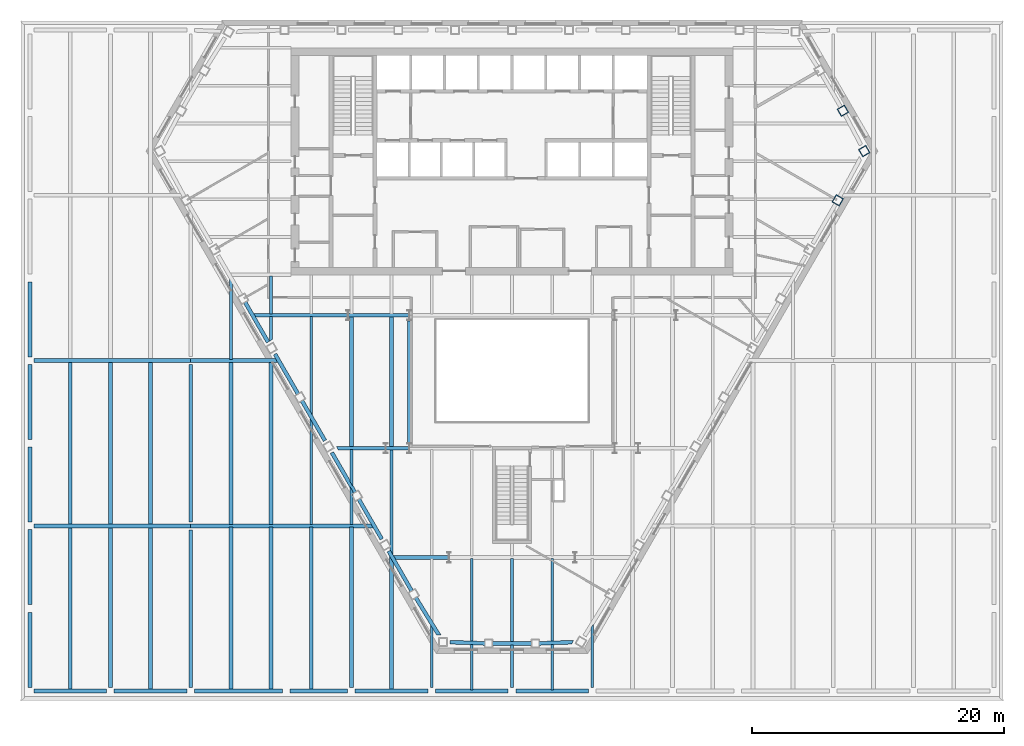
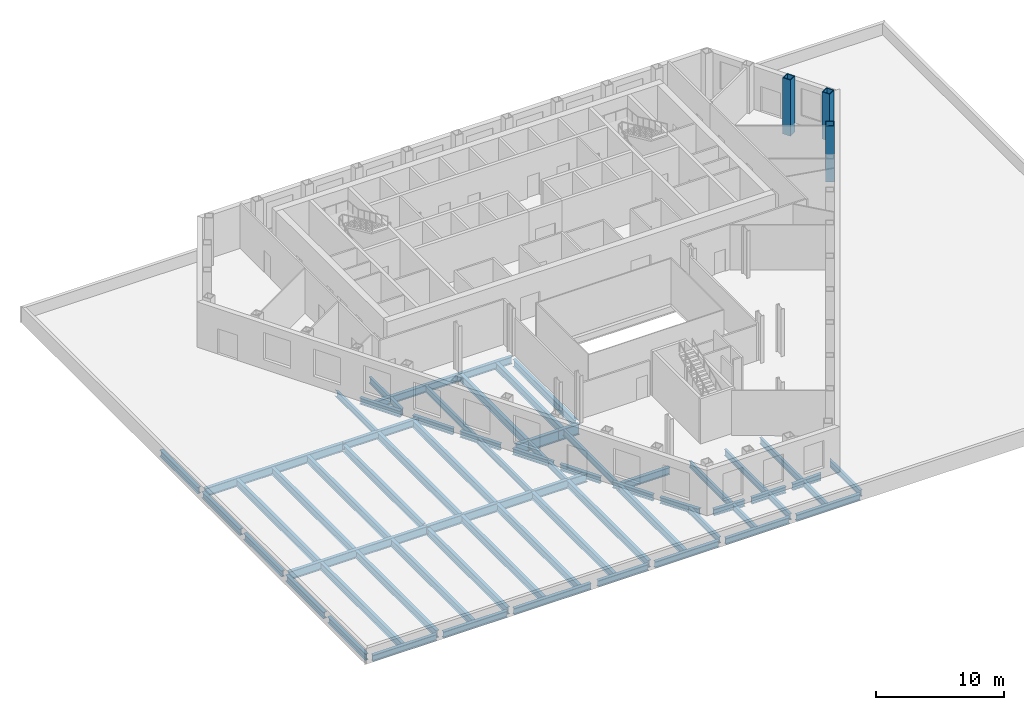
# One storey, part 2 of 14: 65 beams, 3 columns.
"""IFC4 building model written with IfcOpenShell, lengths in metres."""

from ifc_helpers import new_model, si_unit, direction, frame, origin, origin_2d, place, context, subcontext, project, spatial, hollow_rectangle, i_section, extrude, clip, halfspace, material, material_profile, profile_set, type_object, element, save


model = new_model("IFC4")

# Units and contexts
model_context = context("Model", 3, precision=1e-05, world=origin(), true_north=direction((0.0, 1.0)))
body_context = subcontext(model_context, "Body", "Model", "MODEL_VIEW")
ifc_project = project(units=[si_unit("LENGTHUNIT", "METRE"), si_unit("AREAUNIT", "SQUARE_METRE"), si_unit("VOLUMEUNIT", "CUBIC_METRE"), si_unit("PLANEANGLEUNIT", "RADIAN"), si_unit("MASSUNIT", "GRAM", prefix="KILO")], contexts=[model_context])

# Site, building, storey
site_placement = place(None, origin())
site = spatial("IfcSite", under=ifc_project, at=site_placement, CompositionType="ELEMENT")
building_placement = place(site_placement, origin())
building = spatial("IfcBuilding", under=site, at=building_placement, Name="Njiva Tower", CompositionType="ELEMENT")
storey_placement = place(building_placement, frame((0.0, 0.0, 28.8)))
storey = spatial("IfcBuildingStorey", under=building, at=storey_placement, Name="L05", CompositionType="ELEMENT", Elevation=28.8)

# Columns
ifc_material = material(Name="Steel S355 J2", Category="steel")
ifc_material_profile_1 = material_profile(ifc_material, hollow_rectangle(XDim=0.7, YDim=0.7, WallThickness=0.07, at=origin_2d()), Name="BOX 700x700x70")
ifc_profile_set_1 = profile_set([ifc_material_profile_1], Name="Steel S355 J2")
column_type = type_object("IfcColumnType", Name="C5 Perimeter tube column BOX 700x700x70", PredefinedType="COLUMN", material=ifc_profile_set_1)
column_1_placement = place(storey_placement, frame((25.822, 5.904, -0.85), z_axis=(0.0, 0.0, 1.0), x_axis=(0.5, 0.866025403784, 0.0)))
element("IfcColumn", 1, at=column_1_placement, inside=storey, type_object=column_type, Name="Perimeter tube column S01-C36", PredefinedType="COLUMN", context=body_context, shape_type="SweptSolid", body=[
    extrude(hollow_rectangle(XDim=0.7, YDim=0.7, WallThickness=0.07, at=origin_2d()), origin(), (0.0, 0.0, 1.0), 5.35),
])
column_2_placement = place(storey_placement, frame((27.923, 9.808, 0.0), z_axis=(0.0, 0.0, 1.0), x_axis=(-0.5, 0.866025403784, 0.0)))
element("IfcColumn", 2, at=column_2_placement, inside=storey, type_object=column_type, Name="Perimeter tube column S01-C37", PredefinedType="COLUMN", context=body_context, shape_type="SweptSolid", body=[
    extrude(hollow_rectangle(XDim=0.7, YDim=0.7, WallThickness=0.07, at=origin_2d()), origin(), (0.0, 0.0, 1.0), 4.5),
])
column_3_placement = place(storey_placement, frame((26.23, 13.005, -0.85), z_axis=(0.0, 0.0, 1.0), x_axis=(-0.5, 0.866025403784, 0.0)))
element("IfcColumn", 3, at=column_3_placement, inside=storey, type_object=column_type, Name="Perimeter tube column S01-C38", PredefinedType="COLUMN", context=body_context, shape_type="SweptSolid", body=[
    extrude(hollow_rectangle(XDim=0.7, YDim=0.7, WallThickness=0.07, at=origin_2d()), origin(), (0.0, 0.0, 1.0), 5.35),
])

# Beams
ifc_material_profile_2 = material_profile(ifc_material, i_section(OverallWidth=0.3, OverallDepth=0.69, WebThickness=0.0145, FlangeThickness=0.027, at=origin_2d()), Name="HEA 700")
ifc_profile_set_2 = profile_set([ifc_material_profile_2], Name="Steel S355 J2")
beam_type_1 = type_object("IfcBeamType", Name="B12 Long-span floor joist HEA 700", PredefinedType="JOIST", material=ifc_profile_set_2)
for number, where, z_axis, x_axis, name in (
    (4, (-35.017, -6.9, -0.595), (0.0, -1.0, 0.0), (1.0, 0.0, 0.0), "Long-span floor joist S01-B037"),
    (5, (-35.017, -20.0, -0.595), (0.0, -1.0, 0.0), (1.0, 0.0, 0.0), "Long-span floor joist S01-B036"),
    (6, (-31.833, -6.9, -0.595), (0.0, -1.0, 0.0), (1.0, 0.0, 0.0), "Long-span floor joist S01-B041"),
):
    element("IfcBeam", number, at=place(storey_placement, frame(where, z_axis=z_axis, x_axis=x_axis)), inside=storey, type_object=beam_type_1, Name=name, PredefinedType="JOIST", context=body_context, shape_type="SweptSolid", body=[
        extrude(i_section(OverallWidth=0.3, OverallDepth=0.69, WebThickness=0.0145, FlangeThickness=0.027, at=origin_2d()), origin(), (0.0, 0.0, 1.0), 12.9),
    ])
beam_1_placement = place(storey_placement, frame((-31.833, -20.0, -0.595), z_axis=(0.0, -1.0, 0.0), x_axis=(1.0, 0.0, 0.0)))
element("IfcBeam", 7, at=beam_1_placement, inside=storey, type_object=beam_type_1, Name="Long-span floor joist S01-B040", PredefinedType="JOIST", context=body_context, shape_type="SweptSolid", body=[
    extrude(i_section(OverallWidth=0.3, OverallDepth=0.69, WebThickness=0.0145, FlangeThickness=0.027, at=origin_2d()), origin(), (0.0, 0.0, 1.0), 12.7),
])
for number, where, z_axis, x_axis, name in (
    (8, (-28.65, -6.9, -0.595), (0.0, -1.0, 0.0), (1.0, 0.0, 0.0), "Long-span floor joist S01-B045"),
    (9, (-28.65, -20.0, -0.595), (0.0, -1.0, 0.0), (1.0, 0.0, 0.0), "Long-span floor joist S01-B044"),
):
    element("IfcBeam", number, at=place(storey_placement, frame(where, z_axis=z_axis, x_axis=x_axis)), inside=storey, type_object=beam_type_1, Name=name, PredefinedType="JOIST", context=body_context, shape_type="SweptSolid", body=[
        extrude(i_section(OverallWidth=0.3, OverallDepth=0.69, WebThickness=0.0145, FlangeThickness=0.027, at=origin_2d()), origin(), (0.0, 0.0, 1.0), 12.9),
    ])
beam_2_placement = place(storey_placement, frame((-25.467, -7.108, -0.595), z_axis=(0.0, -1.0, 0.0), x_axis=(1.0, 0.0, 0.0)))
element("IfcBeam", 10, at=beam_2_placement, inside=storey, type_object=beam_type_1, Name="Long-span floor joist S01-B049", PredefinedType="JOIST", context=body_context, shape_type="SweptSolid", body=[
    extrude(i_section(OverallWidth=0.3, OverallDepth=0.69, WebThickness=0.0145, FlangeThickness=0.027, at=origin_2d()), origin(), (0.0, 0.0, 1.0), 12.484),
])
beam_3_placement = place(storey_placement, frame((-25.467, -20.208, -0.595), z_axis=(0.0, -1.0, 0.0), x_axis=(1.0, 0.0, 0.0)))
element("IfcBeam", 11, at=beam_3_placement, inside=storey, type_object=beam_type_1, Name="Long-span floor joist S01-B048", PredefinedType="JOIST", context=body_context, shape_type="SweptSolid", body=[
    extrude(i_section(OverallWidth=0.3, OverallDepth=0.69, WebThickness=0.0145, FlangeThickness=0.027, at=origin_2d()), origin(), (0.0, 0.0, 1.0), 12.492),
])
for number, where, z_axis, x_axis, name in (
    (12, (-22.283, -6.9, -0.595), (0.0, -1.0, 0.0), (1.0, 0.0, 0.0), "Long-span floor joist S01-B053"),
    (13, (-22.283, -20.001, -0.595), (0.0, -1.0, 0.0), (1.0, 0.0, 0.0), "Long-span floor joist S01-B052"),
    (14, (-19.1, -6.9, -0.595), (0.0, -1.0, 0.0), (1.0, 0.0, 0.0), "Long-span floor joist S01-B056"),
    (15, (-19.1, -20.001, -0.595), (0.0, -1.0, 0.0), (1.0, 0.0, 0.0), "Long-span floor joist S01-B055"),
    (16, (-15.917, -20.001, -0.595), (0.0, -1.0, 0.0), (1.0, 0.0, 0.0), "Long-span floor joist S01-B059"),
):
    element("IfcBeam", number, at=place(storey_placement, frame(where, z_axis=z_axis, x_axis=x_axis)), inside=storey, type_object=beam_type_1, Name=name, PredefinedType="JOIST", context=body_context, shape_type="SweptSolid", body=[
        extrude(i_section(OverallWidth=0.3, OverallDepth=0.69, WebThickness=0.0145, FlangeThickness=0.027, at=origin_2d()), origin(), (0.0, 0.0, 1.0), 12.899),
    ])
beam_4_placement = place(storey_placement, frame((-12.733, -3.3, -0.595), z_axis=(0.0, -1.0, 0.0), x_axis=(1.0, 0.0, 0.0)))
element("IfcBeam", 17, at=beam_4_placement, inside=storey, type_object=beam_type_1, Name="Long-span floor joist S01-B066", PredefinedType="JOIST", context=body_context, shape_type="SweptSolid", body=[
    extrude(i_section(OverallWidth=0.3, OverallDepth=0.69, WebThickness=0.0145, FlangeThickness=0.027, at=origin_2d()), origin(), (0.0, 0.0, 1.0), 10.349),
])
beam_5_placement = place(storey_placement, frame((-12.733, -20.001, -0.595), z_axis=(0.0, -1.0, 0.0), x_axis=(1.0, 0.0, 0.0)))
element("IfcBeam", 18, at=beam_5_placement, inside=storey, type_object=beam_type_1, Name="Long-span floor joist S01-B063", PredefinedType="JOIST", context=body_context, shape_type="SweptSolid", body=[
    extrude(i_section(OverallWidth=0.3, OverallDepth=0.69, WebThickness=0.0145, FlangeThickness=0.027, at=origin_2d()), origin(), (0.0, 0.0, 1.0), 12.699),
])
beam_6_placement = place(storey_placement, frame((-9.55, -3.3, -0.595), z_axis=(0.0, -1.0, 0.0), x_axis=(1.0, 0.0, 0.0)))
element("IfcBeam", 19, at=beam_6_placement, inside=storey, type_object=beam_type_1, Name="Long-span floor joist S01-B070", PredefinedType="JOIST", context=body_context, shape_type="SweptSolid", body=[
    extrude(i_section(OverallWidth=0.3, OverallDepth=0.69, WebThickness=0.0145, FlangeThickness=0.027, at=origin_2d()), origin(), (0.0, 0.0, 1.0), 10.349),
])
beam_7_placement = place(storey_placement, frame((-9.55, -22.27, -0.595), z_axis=(0.0, -1.0, 0.0), x_axis=(1.0, 0.0, 0.0)))
element("IfcBeam", 20, at=beam_7_placement, inside=storey, type_object=beam_type_1, Name="Long-span floor joist S01-B068", PredefinedType="JOIST", context=body_context, shape_type="Clipping", body=[
    clip(extrude(i_section(OverallWidth=0.3, OverallDepth=0.69, WebThickness=0.0145, FlangeThickness=0.027, at=origin_2d()), origin(), (0.0, 0.0, 1.0), 10.63), halfspace(frame((0.0433, 0.0, 0.2857), z_axis=(0.866026552831, 0.0, -0.499998009787), x_axis=(0.0, -1.0, 0.0)), False)),
])
ifc_material_profile_3 = material_profile(ifc_material, i_section(OverallWidth=0.22, OverallDepth=0.6, WebThickness=0.012, FlangeThickness=0.019, at=origin_2d()), Name="IPE 600")
ifc_profile_set_3 = profile_set([ifc_material_profile_3], Name="Steel S355 J2")
beam_type_2 = type_object("IfcBeamType", Name="B13 Floor joist IPE 600", PredefinedType="JOIST", material=ifc_profile_set_3)
beam_8_placement = place(storey_placement, frame((-22.283, -0.215, -0.55), z_axis=(0.0, -1.0, 0.0), x_axis=(1.0, 0.0, 0.0)))
element("IfcBeam", 21, at=beam_8_placement, inside=storey, type_object=beam_type_2, Name="Floor joist S01-B054", PredefinedType="JOIST", context=body_context, shape_type="Clipping", body=[
    clip(extrude(i_section(OverallWidth=0.22, OverallDepth=0.6, WebThickness=0.012, FlangeThickness=0.019, at=origin_2d()), origin(), (0.0, 0.0, 1.0), 6.485), halfspace(frame((0.043, 0.0, 0.2859), z_axis=(0.866026552831, 0.0, -0.499998009787), x_axis=(0.0, -1.0, 0.0)), False)),
])
beam_9_placement = place(storey_placement, frame((-15.917, -3.3, -0.55), z_axis=(0.0, -1.0, 0.0), x_axis=(1.0, 0.0, 0.0)))
element("IfcBeam", 22, at=beam_9_placement, inside=storey, type_object=beam_type_2, Name="Floor joist S01-B061", PredefinedType="JOIST", context=body_context, shape_type="Clipping", body=[
    clip(extrude(i_section(OverallWidth=0.22, OverallDepth=0.6, WebThickness=0.012, FlangeThickness=0.019, at=origin_2d()), origin(), (0.0, 0.0, 1.0), 7.964), halfspace(frame((-0.043, 0.0, 7.6783), z_axis=(-0.866026552831, 0.0, 0.499998009787), x_axis=(0.0, 1.0, 0.0)), False)),
])
beam_10_placement = place(storey_placement, frame((-15.917, -11.242, -0.55), z_axis=(0.0, -1.0, 0.0), x_axis=(1.0, 0.0, 0.0)))
element("IfcBeam", 23, at=beam_10_placement, inside=storey, type_object=beam_type_2, Name="Floor joist S01-B060", PredefinedType="JOIST", context=body_context, shape_type="Clipping", body=[
    clip(extrude(i_section(OverallWidth=0.22, OverallDepth=0.6, WebThickness=0.012, FlangeThickness=0.019, at=origin_2d()), origin(), (0.0, 0.0, 1.0), 8.557), halfspace(frame((0.0436, 0.0, 0.2863), z_axis=(0.866026552831, 0.0, -0.499998009787), x_axis=(0.0, -1.0, 0.0)), False)),
])
beam_11_placement = place(storey_placement, frame((-9.55, -13.851, -0.55), z_axis=(0.0, -1.0, 0.0), x_axis=(1.0, 0.0, 0.0)))
element("IfcBeam", 24, at=beam_11_placement, inside=storey, type_object=beam_type_2, Name="Floor joist S01-B069", PredefinedType="JOIST", context=body_context, shape_type="Clipping", body=[
    clip(extrude(i_section(OverallWidth=0.22, OverallDepth=0.6, WebThickness=0.012, FlangeThickness=0.019, at=origin_2d()), origin(), (0.0, 0.0, 1.0), 8.441), halfspace(frame((-0.0433, 0.0, 8.1547), z_axis=(-0.866026552831, 0.0, 0.499998009787), x_axis=(0.0, 1.0, 0.0)), False)),
])
beam_12_placement = place(storey_placement, frame((-6.367, -27.624, -0.55), z_axis=(0.0, -1.0, 0.0), x_axis=(1.0, 0.0, 0.0)))
element("IfcBeam", 25, at=beam_12_placement, inside=storey, type_object=beam_type_2, Name="Floor joist S01-B072", PredefinedType="JOIST", context=body_context, shape_type="Clipping", body=[
    clip(extrude(i_section(OverallWidth=0.22, OverallDepth=0.6, WebThickness=0.012, FlangeThickness=0.019, at=origin_2d()), origin(), (0.0, 0.0, 1.0), 5.076), halfspace(frame((0.0429, 0.0, 0.2666), z_axis=(0.850620428373, 0.0, -0.525780264783), x_axis=(0.0, -1.0, 0.0)), False)),
])
beam_13_placement = place(storey_placement, frame((-3.183, -22.5, -0.55), z_axis=(0.0, -1.0, 0.0), x_axis=(1.0, 0.0, 0.0)))
element("IfcBeam", 26, at=beam_13_placement, inside=storey, type_object=beam_type_2, Name="Floor joist S01-B077", PredefinedType="JOIST", context=body_context, shape_type="SweptSolid", body=[
    extrude(i_section(OverallWidth=0.22, OverallDepth=0.6, WebThickness=0.012, FlangeThickness=0.019, at=origin_2d()), origin(), (0.0, 0.0, 1.0), 6.577),
])
beam_14_placement = place(storey_placement, frame((0.0, -22.5, -0.55), z_axis=(0.0, -1.0, 0.0), x_axis=(1.0, 0.0, 0.0)))
element("IfcBeam", 27, at=beam_14_placement, inside=storey, type_object=beam_type_2, Name="Floor joist S01-B081", PredefinedType="JOIST", context=body_context, shape_type="SweptSolid", body=[
    extrude(i_section(OverallWidth=0.22, OverallDepth=0.6, WebThickness=0.012, FlangeThickness=0.019, at=origin_2d()), origin(), (0.0, 0.0, 1.0), 6.63),
])
beam_15_placement = place(storey_placement, frame((3.183, -22.5, -0.55), z_axis=(0.0, -1.0, 0.0), x_axis=(1.0, 0.0, 0.0)))
element("IfcBeam", 28, at=beam_15_placement, inside=storey, type_object=beam_type_2, Name="Floor joist S01-B085", PredefinedType="JOIST", context=body_context, shape_type="SweptSolid", body=[
    extrude(i_section(OverallWidth=0.22, OverallDepth=0.6, WebThickness=0.012, FlangeThickness=0.019, at=origin_2d()), origin(), (0.0, 0.0, 1.0), 6.577),
])
beam_16_placement = place(storey_placement, frame((6.367, -27.624, -0.55), z_axis=(0.0, -1.0, 0.0), x_axis=(1.0, 0.0, 0.0)))
element("IfcBeam", 29, at=beam_16_placement, inside=storey, type_object=beam_type_2, Name="Floor joist S01-B088", PredefinedType="JOIST", context=body_context, shape_type="Clipping", body=[
    clip(extrude(i_section(OverallWidth=0.22, OverallDepth=0.6, WebThickness=0.012, FlangeThickness=0.019, at=origin_2d()), origin(), (0.0, 0.0, 1.0), 5.076), halfspace(frame((-0.0429, 0.0, 0.2666), z_axis=(-0.850620428373, 0.0, -0.525780264783), x_axis=(0.0, -1.0, 0.0)), False)),
])
ifc_material_profile_4 = material_profile(ifc_material, i_section(OverallWidth=0.22, OverallDepth=0.6, WebThickness=0.012, FlangeThickness=0.019, at=origin_2d()), Name="IPE 600")
ifc_profile_set_4 = profile_set([ifc_material_profile_4], Name="Steel S355 J2")
beam_type_3 = type_object("IfcBeamType", Name="B14 Short-span floor joist IPE 600", PredefinedType="JOIST", material=ifc_profile_set_4)
beam_17_placement = place(storey_placement, frame((-19.1, -0.1, -0.55), z_axis=(0.0, -1.0, 0.0), x_axis=(1.0, 0.0, 0.0)))
element("IfcBeam", 30, at=beam_17_placement, inside=storey, type_object=beam_type_3, Name="Short-span floor joist S01-B058", PredefinedType="JOIST", context=body_context, shape_type="SweptSolid", body=[
    extrude(i_section(OverallWidth=0.22, OverallDepth=0.6, WebThickness=0.012, FlangeThickness=0.019, at=origin_2d()), origin(), (0.0, 0.0, 1.0), 3.0),
])
beam_18_placement = place(storey_placement, frame((-19.1, -3.3, -0.55), z_axis=(0.0, -1.0, 0.0), x_axis=(1.0, 0.0, 0.0)))
element("IfcBeam", 31, at=beam_18_placement, inside=storey, type_object=beam_type_3, Name="Short-span floor joist S01-B057", PredefinedType="JOIST", context=body_context, shape_type="Clipping", body=[
    clip(extrude(i_section(OverallWidth=0.22, OverallDepth=0.6, WebThickness=0.012, FlangeThickness=0.019, at=origin_2d()), origin(), (0.0, 0.0, 1.0), 1.978), halfspace(frame((0.025, 0.0, 1.88), z_axis=(0.499998009787, 0.0, 0.866026552831), x_axis=(0.0, 1.0, 0.0)), False)),
])
beam_19_placement = place(storey_placement, frame((-12.733, -13.851, -0.55), z_axis=(0.0, -1.0, 0.0), x_axis=(1.0, 0.0, 0.0)))
element("IfcBeam", 32, at=beam_19_placement, inside=storey, type_object=beam_type_3, Name="Short-span floor joist S01-B065", PredefinedType="JOIST", context=body_context, shape_type="Clipping", body=[
    clip(extrude(i_section(OverallWidth=0.22, OverallDepth=0.6, WebThickness=0.012, FlangeThickness=0.019, at=origin_2d()), origin(), (0.0, 0.0, 1.0), 2.927), halfspace(frame((-0.0436, 0.0, 2.641), z_axis=(-0.866026552831, 0.0, 0.499998009787), x_axis=(0.0, 1.0, 0.0)), False)),
])
beam_20_placement = place(storey_placement, frame((-12.733, -16.756, -0.55), z_axis=(0.0, -1.0, 0.0), x_axis=(1.0, 0.0, 0.0)))
element("IfcBeam", 33, at=beam_20_placement, inside=storey, type_object=beam_type_3, Name="Short-span floor joist S01-B064", PredefinedType="JOIST", context=body_context, shape_type="Clipping", body=[
    clip(extrude(i_section(OverallWidth=0.22, OverallDepth=0.6, WebThickness=0.012, FlangeThickness=0.019, at=origin_2d()), origin(), (0.0, 0.0, 1.0), 3.043), halfspace(frame((0.043, 0.0, 0.286), z_axis=(0.866026552831, 0.0, -0.499998009787), x_axis=(0.0, -1.0, 0.0)), False)),
])
beam_21_placement = place(storey_placement, frame((-3.183, -29.284, -0.55), z_axis=(0.0, -1.0, 0.0), x_axis=(1.0, 0.0, 0.0)))
element("IfcBeam", 34, at=beam_21_placement, inside=storey, type_object=beam_type_3, Name="Short-span floor joist S01-B076", PredefinedType="JOIST", context=body_context, shape_type="SweptSolid", body=[
    extrude(i_section(OverallWidth=0.22, OverallDepth=0.6, WebThickness=0.012, FlangeThickness=0.019, at=origin_2d()), origin(), (0.0, 0.0, 1.0), 3.616),
])
beam_22_placement = place(storey_placement, frame((0.0, -29.329, -0.55), z_axis=(0.0, -1.0, 0.0), x_axis=(1.0, 0.0, 0.0)))
element("IfcBeam", 35, at=beam_22_placement, inside=storey, type_object=beam_type_3, Name="Short-span floor joist S01-B080", PredefinedType="JOIST", context=body_context, shape_type="SweptSolid", body=[
    extrude(i_section(OverallWidth=0.22, OverallDepth=0.6, WebThickness=0.012, FlangeThickness=0.019, at=origin_2d()), origin(), (0.0, 0.0, 1.0), 3.371),
])
beam_23_placement = place(storey_placement, frame((3.183, -29.284, -0.55), z_axis=(0.0, -1.0, 0.0), x_axis=(1.0, 0.0, 0.0)))
element("IfcBeam", 36, at=beam_23_placement, inside=storey, type_object=beam_type_3, Name="Short-span floor joist S01-B084", PredefinedType="JOIST", context=body_context, shape_type="SweptSolid", body=[
    extrude(i_section(OverallWidth=0.22, OverallDepth=0.6, WebThickness=0.012, FlangeThickness=0.019, at=origin_2d()), origin(), (0.0, 0.0, 1.0), 3.616),
])
ifc_material_profile_5 = material_profile(ifc_material, i_section(OverallWidth=0.3, OverallDepth=0.69, WebThickness=0.0145, FlangeThickness=0.027, at=origin_2d()), Name="HEA 700")
ifc_profile_set_5 = profile_set([ifc_material_profile_5], Name="Steel S355 J2")
beam_type_4 = type_object("IfcBeamType", Name="B15 Floor girder HEA 700", PredefinedType="BEAM", material=ifc_profile_set_5)
beam_24_placement = place(storey_placement, frame((-20.558, -3.2, -0.595), z_axis=(1.0, 0.0, 0.0), x_axis=(0.0, 1.0, 0.0)))
element("IfcBeam", 37, at=beam_24_placement, inside=storey, type_object=beam_type_4, Name="Floor girder S01-B019", PredefinedType="BEAM", context=body_context, shape_type="Clipping", body=[
    clip(extrude(i_section(OverallWidth=0.3, OverallDepth=0.69, WebThickness=0.0145, FlangeThickness=0.027, at=origin_2d()), origin(), (0.0, 0.0, 1.0), 7.558), halfspace(frame((-0.025, 0.0, 0.1217), z_axis=(-0.499998009787, 0.0, -0.866026552831), x_axis=(0.0, -1.0, 0.0)), False)),
])
beam_25_placement = place(storey_placement, frame((-13.0, -3.2, -0.595), z_axis=(1.0, 0.0, 0.0), x_axis=(0.0, 1.0, 0.0)))
element("IfcBeam", 38, at=beam_25_placement, inside=storey, type_object=beam_type_4, Name="Floor girder S01-B021", PredefinedType="BEAM", context=body_context, shape_type="SweptSolid", body=[
    extrude(i_section(OverallWidth=0.3, OverallDepth=0.69, WebThickness=0.0145, FlangeThickness=0.027, at=origin_2d()), origin(), (0.0, 0.0, 1.0), 4.85),
])
beam_26_placement = place(storey_placement, frame((-25.467, -6.8, -0.595), z_axis=(1.0, 0.0, 0.0), x_axis=(0.0, 1.0, 0.0)))
element("IfcBeam", 39, at=beam_26_placement, inside=storey, type_object=beam_type_4, Name="Floor girder S01-B017", PredefinedType="BEAM", context=body_context, shape_type="Clipping", body=[
    clip(extrude(i_section(OverallWidth=0.3, OverallDepth=0.69, WebThickness=0.0145, FlangeThickness=0.027, at=origin_2d()), origin(), (0.0, 0.0, 1.0), 6.971), halfspace(frame((0.025, 0.0, 6.8493), z_axis=(0.499998009787, 0.0, 0.866026552831), x_axis=(0.0, 1.0, 0.0)), False)),
])
ifc_material_profile_6 = material_profile(ifc_material, i_section(OverallWidth=0.3, OverallDepth=0.69, WebThickness=0.0145, FlangeThickness=0.027, at=origin_2d()), Name="HEA 700")
ifc_profile_set_6 = profile_set([ifc_material_profile_6], Name="Steel S355 J2")
beam_type_5 = type_object("IfcBeamType", Name="B16 Short-span floor girder HEA 700", PredefinedType="BEAM", material=ifc_profile_set_6)
beam_27_placement = place(storey_placement, frame((-9.473, -22.4, -0.595), z_axis=(1.0, 0.0, 0.0), x_axis=(0.0, 1.0, 0.0)))
element("IfcBeam", 40, at=beam_27_placement, inside=storey, type_object=beam_type_5, Name="Short-span floor girder S01-B023", PredefinedType="BEAM", context=body_context, shape_type="Clipping", body=[
    clip(extrude(i_section(OverallWidth=0.3, OverallDepth=0.69, WebThickness=0.0145, FlangeThickness=0.027, at=origin_2d()), origin(), (0.0, 0.0, 1.0), 4.473), halfspace(frame((-0.025, 0.0, 0.1218), z_axis=(-0.499998009787, 0.0, -0.866026552831), x_axis=(0.0, -1.0, 0.0)), False)),
])
ifc_material_profile_7 = material_profile(ifc_material, i_section(OverallWidth=0.3, OverallDepth=0.69, WebThickness=0.0145, FlangeThickness=0.027, at=origin_2d()), Name="HEA 700")
ifc_profile_set_7 = profile_set([ifc_material_profile_7], Name="Steel S355 J2")
beam_type_6 = type_object("IfcBeamType", Name="B18 Long-span atrium trimmer beam HEA 700", PredefinedType="BEAM", material=ifc_profile_set_7)
beam_28_placement = place(storey_placement, frame((-8.15, -3.654, -0.595), z_axis=(0.0, -1.0, 0.0), x_axis=(1.0, 0.0, 0.0)))
element("IfcBeam", 41, at=beam_28_placement, inside=storey, type_object=beam_type_6, Name="Long-span atrium trimmer beam S01-B129", PredefinedType="BEAM", context=body_context, shape_type="SweptSolid", body=[
    extrude(i_section(OverallWidth=0.3, OverallDepth=0.69, WebThickness=0.0145, FlangeThickness=0.027, at=origin_2d()), origin(), (0.0, 0.0, 1.0), 9.642),
])
ifc_material_profile_8 = material_profile(ifc_material, i_section(OverallWidth=0.3, OverallDepth=0.6, WebThickness=0.0155, FlangeThickness=0.03, at=origin_2d()), Name="HEB 600")
ifc_profile_set_8 = profile_set([ifc_material_profile_8], Name="Steel S355 J2")
beam_type_7 = type_object("IfcBeamType", Name="B2 Spandrel beam HEB 600", PredefinedType="SPANDREL", material=ifc_profile_set_8)
for number, where, z_axis, x_axis, name in (
    (42, (-38.2, -0.55, -0.55), (0.0, -1.0, 0.0), (1.0, 0.0, 0.0), "Spandrel beam S01-B136"),
    (43, (-38.2, -7.1, -0.55), (0.0, -1.0, 0.0), (1.0, 0.0, 0.0), "Spandrel beam S01-B135"),
    (44, (-38.2, -13.65, -0.55), (0.0, -1.0, 0.0), (1.0, 0.0, 0.0), "Spandrel beam S01-B134"),
    (45, (-38.2, -20.2, -0.55), (0.0, -1.0, 0.0), (1.0, 0.0, 0.0), "Spandrel beam S01-B133"),
    (46, (-38.2, -26.75, -0.55), (0.0, -1.0, 0.0), (1.0, 0.0, 0.0), "Spandrel beam S01-B132"),
):
    element("IfcBeam", number, at=place(storey_placement, frame(where, z_axis=z_axis, x_axis=x_axis)), inside=storey, type_object=beam_type_7, Name=name, PredefinedType="SPANDREL", context=body_context, shape_type="SweptSolid", body=[
        extrude(i_section(OverallWidth=0.3, OverallDepth=0.6, WebThickness=0.0155, FlangeThickness=0.03, at=origin_2d()), origin(), (0.0, 0.0, 1.0), 5.95),
    ])
beam_29_placement = place(storey_placement, frame((-37.9, -33.0, -0.55), z_axis=(1.0, 0.0, 0.0), x_axis=(0.0, 1.0, 0.0)))
element("IfcBeam", 47, at=beam_29_placement, inside=storey, type_object=beam_type_7, Name="Spandrel beam S01-B140", PredefinedType="SPANDREL", context=body_context, shape_type="SweptSolid", body=[
    extrude(i_section(OverallWidth=0.3, OverallDepth=0.6, WebThickness=0.0155, FlangeThickness=0.03, at=origin_2d()), origin(), (0.0, 0.0, 1.0), 5.767),
])
beam_30_placement = place(storey_placement, frame((-31.533, -33.0, -0.55), z_axis=(1.0, 0.0, 0.0), x_axis=(0.0, 1.0, 0.0)))
element("IfcBeam", 48, at=beam_30_placement, inside=storey, type_object=beam_type_7, Name="Spandrel beam S01-B142", PredefinedType="SPANDREL", context=body_context, shape_type="SweptSolid", body=[
    extrude(i_section(OverallWidth=0.3, OverallDepth=0.6, WebThickness=0.0155, FlangeThickness=0.03, at=origin_2d()), origin(), (0.0, 0.0, 1.0), 5.766),
])
beam_31_placement = place(storey_placement, frame((-25.167, -33.0, -0.55), z_axis=(1.0, 0.0, 0.0), x_axis=(0.0, 1.0, 0.0)))
element("IfcBeam", 49, at=beam_31_placement, inside=storey, type_object=beam_type_7, Name="Spandrel beam S01-B148", PredefinedType="SPANDREL", context=body_context, shape_type="SweptSolid", body=[
    extrude(i_section(OverallWidth=0.3, OverallDepth=0.6, WebThickness=0.0155, FlangeThickness=0.03, at=origin_2d()), origin(), (0.0, 0.0, 1.0), 6.967),
])
beam_32_placement = place(storey_placement, frame((-17.6, -33.0, -0.55), z_axis=(1.0, 0.0, 0.0), x_axis=(0.0, 1.0, 0.0)))
element("IfcBeam", 50, at=beam_32_placement, inside=storey, type_object=beam_type_7, Name="Spandrel beam S01-B156", PredefinedType="SPANDREL", context=body_context, shape_type="SweptSolid", body=[
    extrude(i_section(OverallWidth=0.3, OverallDepth=0.6, WebThickness=0.0155, FlangeThickness=0.03, at=origin_2d()), origin(), (0.0, 0.0, 1.0), 4.567),
])
beam_33_placement = place(storey_placement, frame((-12.433, -33.0, -0.55), z_axis=(1.0, 0.0, 0.0), x_axis=(0.0, 1.0, 0.0)))
element("IfcBeam", 51, at=beam_33_placement, inside=storey, type_object=beam_type_7, Name="Spandrel beam S01-B160", PredefinedType="SPANDREL", context=body_context, shape_type="SweptSolid", body=[
    extrude(i_section(OverallWidth=0.3, OverallDepth=0.6, WebThickness=0.0155, FlangeThickness=0.03, at=origin_2d()), origin(), (0.0, 0.0, 1.0), 5.766),
])
for number, where, z_axis, x_axis, name in (
    (52, (-6.067, -33.0, -0.55), (1.0, 0.0, 0.0), (0.0, 1.0, 0.0), "Spandrel beam S01-B165"),
    (53, (0.3, -33.0, -0.55), (1.0, 0.0, 0.0), (0.0, 1.0, 0.0), "Spandrel beam S01-B170"),
):
    element("IfcBeam", number, at=place(storey_placement, frame(where, z_axis=z_axis, x_axis=x_axis)), inside=storey, type_object=beam_type_7, Name=name, PredefinedType="SPANDREL", context=body_context, shape_type="SweptSolid", body=[
        extrude(i_section(OverallWidth=0.3, OverallDepth=0.6, WebThickness=0.0155, FlangeThickness=0.03, at=origin_2d()), origin(), (0.0, 0.0, 1.0), 5.767),
    ])
ifc_material_profile_9 = material_profile(ifc_material, i_section(OverallWidth=0.3, OverallDepth=0.6, WebThickness=0.0155, FlangeThickness=0.03, at=origin_2d()), Name="HEB 600")
ifc_profile_set_9 = profile_set([ifc_material_profile_9], Name="Steel S355 J2")
beam_type_8 = type_object("IfcBeamType", Name="B3 Short-span spandrel beam HEB 600", PredefinedType="SPANDREL", material=ifc_profile_set_9)
for number, where, z_axis, x_axis, name in (
    (54, (-21.165, -2.163, -0.55), (0.499990639951, -0.866030807744, 0.0), (0.866030807744, 0.499990639951, 0.0), "Short-span spandrel beam S01-B153"),
    (55, (-18.786, -6.283, -0.55), (0.499990639951, -0.866030807744, 0.0), (0.866030807744, 0.499990639951, 0.0), "Short-span spandrel beam S01-B154"),
    (56, (-16.657, -9.971, -0.55), (0.499990639951, -0.866030807744, 0.0), (0.866030807744, 0.499990639951, 0.0), "Short-span spandrel beam S01-B157"),
):
    element("IfcBeam", number, at=place(storey_placement, frame(where, z_axis=z_axis, x_axis=x_axis)), inside=storey, type_object=beam_type_8, Name=name, PredefinedType="SPANDREL", context=body_context, shape_type="SweptSolid", body=[
        extrude(i_section(OverallWidth=0.3, OverallDepth=0.6, WebThickness=0.0155, FlangeThickness=0.03, at=origin_2d()), origin(), (0.0, 0.0, 1.0), 3.6581),
    ])
beam_34_placement = place(storey_placement, frame((-14.278, -14.091, -0.55), z_axis=(0.499903946755, -0.866080853049, 0.0), x_axis=(0.866080853049, 0.499903946755, 0.0)))
element("IfcBeam", 57, at=beam_34_placement, inside=storey, type_object=beam_type_8, Name="Short-span spandrel beam S01-B158", PredefinedType="SPANDREL", context=body_context, shape_type="SweptSolid", body=[
    extrude(i_section(OverallWidth=0.3, OverallDepth=0.6, WebThickness=0.0155, FlangeThickness=0.03, at=origin_2d()), origin(), (0.0, 0.0, 1.0), 3.6567),
])
for number, where, z_axis, x_axis, name in (
    (58, (-12.15, -17.778, -0.55), (0.499990639951, -0.866030807744, 0.0), (0.866030807744, 0.499990639951, 0.0), "Short-span spandrel beam S01-B161"),
    (59, (-9.771, -21.898, -0.55), (0.499990639951, -0.866030807744, 0.0), (0.866030807744, 0.499990639951, 0.0), "Short-span spandrel beam S01-B162"),
):
    element("IfcBeam", number, at=place(storey_placement, frame(where, z_axis=z_axis, x_axis=x_axis)), inside=storey, type_object=beam_type_8, Name=name, PredefinedType="SPANDREL", context=body_context, shape_type="SweptSolid", body=[
        extrude(i_section(OverallWidth=0.3, OverallDepth=0.6, WebThickness=0.0155, FlangeThickness=0.03, at=origin_2d()), origin(), (0.0, 0.0, 1.0), 3.6581),
    ])
beam_35_placement = place(storey_placement, frame((-7.632, -25.584, -0.55), z_axis=(0.52581076449, -0.850601575325, 0.0), x_axis=(0.850601575325, 0.52581076449, 0.0)))
element("IfcBeam", 60, at=beam_35_placement, inside=storey, type_object=beam_type_8, Name="Short-span spandrel beam S01-B164", PredefinedType="SPANDREL", context=body_context, shape_type="Clipping", body=[
    clip(extrude(i_section(OverallWidth=0.3, OverallDepth=0.6, WebThickness=0.0155, FlangeThickness=0.03, at=origin_2d()), origin(), (0.0, 0.0, 1.0), 3.5952), halfspace(frame((-0.0267, 0.0, 3.4657), z_axis=(-0.52581076449, 0.0, 0.850601575325), x_axis=(0.0, 1.0, 0.0)), False)),
])
beam_36_placement = place(storey_placement, frame((-4.906, -29.117, -0.55), z_axis=(0.999328676197, -0.036636005915, 0.0), x_axis=(0.036636005915, 0.999328676197, 0.0)))
element("IfcBeam", 61, at=beam_36_placement, inside=storey, type_object=beam_type_8, Name="Short-span spandrel beam S01-B167", PredefinedType="SPANDREL", context=body_context, shape_type="SweptSolid", body=[
    extrude(i_section(OverallWidth=0.3, OverallDepth=0.6, WebThickness=0.0155, FlangeThickness=0.03, at=origin_2d()), origin(), (0.0, 0.0, 1.0), 2.7569),
])
beam_37_placement = place(storey_placement, frame((-1.546, -29.229, -0.55), z_axis=(1.0, 0.0, 0.0), x_axis=(0.0, 1.0, 0.0)))
element("IfcBeam", 62, at=beam_37_placement, inside=storey, type_object=beam_type_8, Name="Short-span spandrel beam S01-B169", PredefinedType="SPANDREL", context=body_context, shape_type="SweptSolid", body=[
    extrude(i_section(OverallWidth=0.3, OverallDepth=0.6, WebThickness=0.0155, FlangeThickness=0.03, at=origin_2d()), origin(), (0.0, 0.0, 1.0), 3.092),
])
beam_38_placement = place(storey_placement, frame((2.151, -29.218, -0.55), z_axis=(0.999322528704, 0.036803309964, 0.0), x_axis=(-0.036803309964, 0.999322528704, 0.0)))
element("IfcBeam", 63, at=beam_38_placement, inside=storey, type_object=beam_type_8, Name="Short-span spandrel beam S01-B172", PredefinedType="SPANDREL", context=body_context, shape_type="Clipping", body=[
    clip(extrude(i_section(OverallWidth=0.3, OverallDepth=0.6, WebThickness=0.0155, FlangeThickness=0.03, at=origin_2d()), origin(), (0.0, 0.0, 1.0), 2.7768), halfspace(frame((-0.0268, 0.0, 2.646), z_axis=(-0.531531919148, 0.0, 0.847038262965), x_axis=(0.0, 1.0, 0.0)), False)),
])
ifc_material_profile_10 = material_profile(ifc_material, i_section(OverallWidth=0.3, OverallDepth=0.79, WebThickness=0.015, FlangeThickness=0.028, at=origin_2d()), Name="HEA 800")
ifc_profile_set_10 = profile_set([ifc_material_profile_10], Name="Steel S355 J2")
beam_type_9 = type_object("IfcBeamType", Name="B6 Long-span floor girder HEA 800", PredefinedType="BEAM", material=ifc_profile_set_10)
for number, where, z_axis, x_axis, name in (
    (64, (-37.9, -6.8, -0.645), (1.0, 0.0, 0.0), (0.0, 1.0, 0.0), "Long-span floor girder S01-B014"),
    (65, (-37.9, -19.9, -0.645), (1.0, 0.0, 0.0), (0.0, 1.0, 0.0), "Long-span floor girder S01-B013"),
):
    element("IfcBeam", number, at=place(storey_placement, frame(where, z_axis=z_axis, x_axis=x_axis)), inside=storey, type_object=beam_type_9, Name=name, PredefinedType="BEAM", context=body_context, shape_type="SweptSolid", body=[
        extrude(i_section(OverallWidth=0.3, OverallDepth=0.79, WebThickness=0.015, FlangeThickness=0.028, at=origin_2d()), origin(), (0.0, 0.0, 1.0), 12.433),
    ])
ifc_material_profile_11 = material_profile(ifc_material, i_section(OverallWidth=0.303, OverallDepth=0.814, WebThickness=0.021, FlangeThickness=0.04, at=origin_2d()), Name="HEM 800")
ifc_profile_set_11 = profile_set([ifc_material_profile_11], Name="Steel S355 J2")
beam_type_10 = type_object("IfcBeamType", Name="B7 Long-span floor girder HEM 800", PredefinedType="BEAM", material=ifc_profile_set_11)
beam_39_placement = place(storey_placement, frame((-25.467, -19.9, -0.657), z_axis=(1.0, 0.0, 0.0), x_axis=(0.0, 1.0, 0.0)))
element("IfcBeam", 66, at=beam_39_placement, inside=storey, type_object=beam_type_10, Name="Long-span floor girder S01-B016", PredefinedType="BEAM", context=body_context, shape_type="Clipping", body=[
    clip(extrude(i_section(OverallWidth=0.303, OverallDepth=0.814, WebThickness=0.021, FlangeThickness=0.04, at=origin_2d()), origin(), (0.0, 0.0, 1.0), 14.534), halfspace(frame((0.025, 0.0, 14.4126), z_axis=(0.499998009787, 0.0, 0.866026552831), x_axis=(0.0, 1.0, 0.0)), False)),
])
ifc_material_profile_12 = material_profile(ifc_material, i_section(OverallWidth=0.302, OverallDepth=1.008, WebThickness=0.021, FlangeThickness=0.04, at=origin_2d()), Name="HEM 1000")
ifc_profile_set_12 = profile_set([ifc_material_profile_12], Name="Steel S355 J2")
beam_type_11 = type_object("IfcBeamType", Name="TG2 Short-span transfer girder HEM 1000", PredefinedType="BEAM", material=ifc_profile_set_12)
beam_40_placement = place(storey_placement, frame((-13.947, -13.75, -0.754), z_axis=(1.0, 0.0, 0.0), x_axis=(0.0, 1.0, 0.0)))
element("IfcBeam", 67, at=beam_40_placement, inside=storey, type_object=beam_type_11, Name="Short-span transfer girder S01-B020", PredefinedType="BEAM", context=body_context, shape_type="Clipping", body=[
    clip(extrude(i_section(OverallWidth=0.302, OverallDepth=1.008, WebThickness=0.021, FlangeThickness=0.04, at=origin_2d()), origin(), (0.0, 0.0, 1.0), 3.947), halfspace(frame((-0.025, 0.0, 0.1215), z_axis=(-0.499998009787, 0.0, -0.866026552831), x_axis=(0.0, -1.0, 0.0)), False)),
])
beam_41_placement = place(storey_placement, frame((-10.0, -13.75, -0.754), z_axis=(1.0, 0.0, 0.0), x_axis=(0.0, 1.0, 0.0)))
element("IfcBeam", 68, at=beam_41_placement, inside=storey, type_object=beam_type_11, Name="Short-span transfer girder S01-B022", PredefinedType="BEAM", context=body_context, shape_type="SweptSolid", body=[
    extrude(i_section(OverallWidth=0.302, OverallDepth=1.008, WebThickness=0.021, FlangeThickness=0.04, at=origin_2d()), origin(), (0.0, 0.0, 1.0), 1.85),
])

save(model, "model.ifc")
